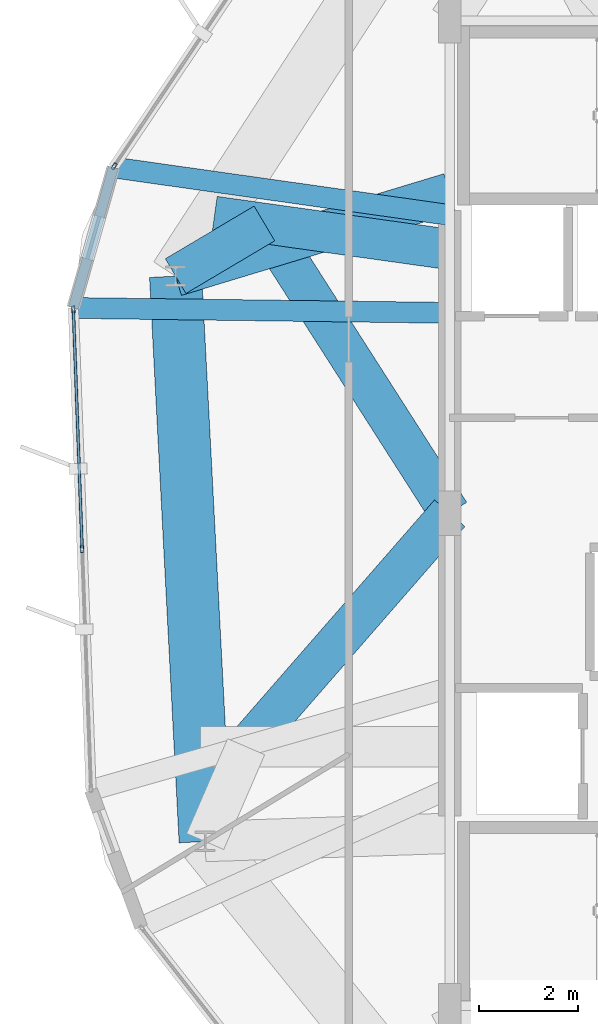
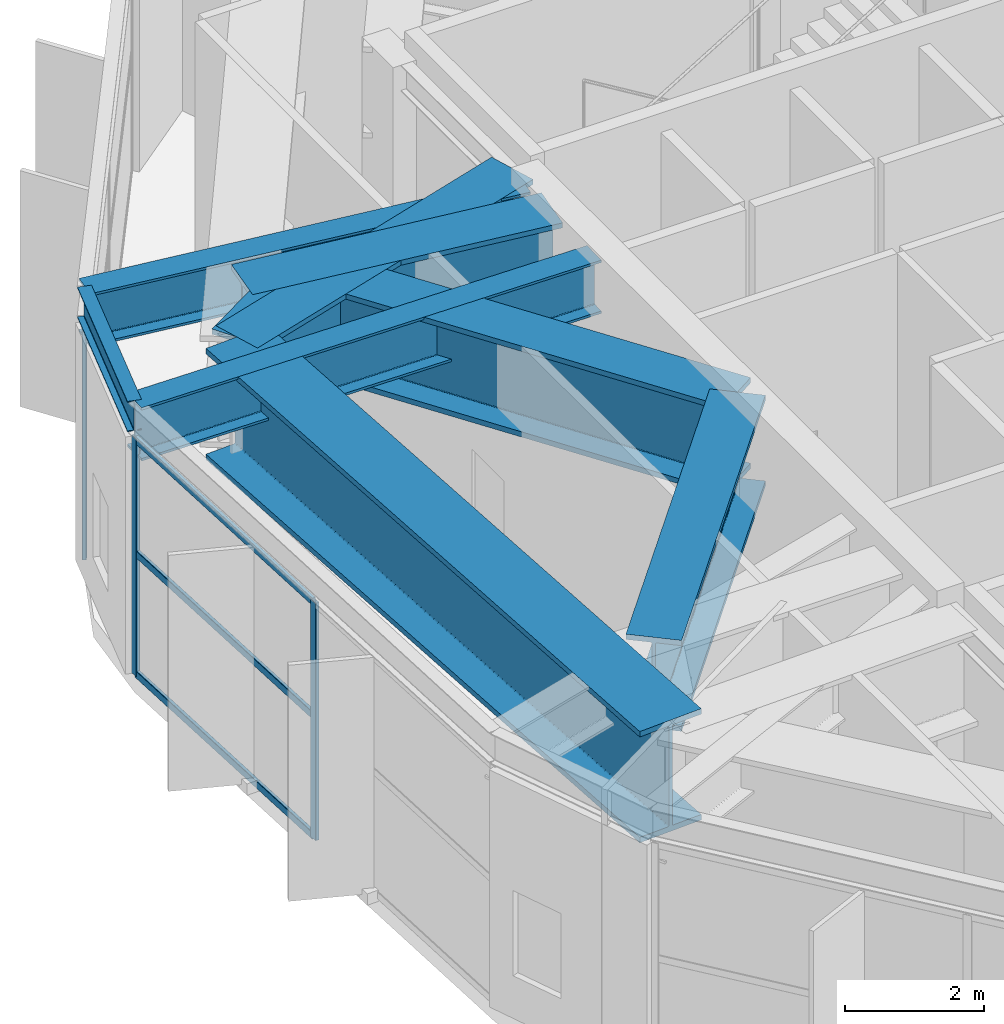
# One storey, part 10 of 30: 9 beams, 6 members, 2 elements without a shape of their own.
"""IFC4 building model written with IfcOpenShell, lengths in metres."""

from ifc_helpers import new_model, si_unit, direction, frame, origin, origin_2d, place, context, subcontext, project, spatial, hollow_rectangle, i_section, extrude, material, layer, layer_set, material_profile, profile_set, type_object, element, aggregate, save


model = new_model("IFC4")

# Units and contexts
model_context = context("Model", 3, precision=1e-05, world=origin(), true_north=direction((0.0, 1.0)))
body_context = subcontext(model_context, "Body", "Model", "MODEL_VIEW")
ifc_project = project(units=[si_unit("LENGTHUNIT", "METRE"), si_unit("AREAUNIT", "SQUARE_METRE"), si_unit("VOLUMEUNIT", "CUBIC_METRE"), si_unit("PLANEANGLEUNIT", "RADIAN"), si_unit("MASSUNIT", "GRAM", prefix="KILO")], contexts=[model_context])

# Site, building, storey
site_placement = place(None, origin())
site = spatial("IfcSite", under=ifc_project, at=site_placement, CompositionType="ELEMENT")
building_placement = place(site_placement, origin())
building = spatial("IfcBuilding", under=site, at=building_placement, Name="Soratama Intermodal Tower", CompositionType="ELEMENT")
storey_placement = place(building_placement, frame((0.0, 0.0, 237.39990234375)))
storey = spatial("IfcBuildingStorey", under=building, at=storey_placement, Name="L60", CompositionType="ELEMENT", Elevation=237.39990234375)

# Beams
ifc_material_1 = material(Name="Structural steel ASTM A992 Grade 50", Category="steel")
ifc_material_profile_1 = material_profile(ifc_material_1, i_section(OverallWidth=0.423095703125, OverallDepth=0.93896484375, WebThickness=0.02392578125, FlangeThickness=0.042724609375, FilletRadius=0.02392578125, at=origin_2d()), Name="W36X302")
ifc_profile_set_1 = profile_set([ifc_material_profile_1], Name="Structural steel ASTM A992 Grade 50")
beam_type_1 = type_object("IfcBeamType", Name="BM-POD-W36X302", PredefinedType="BEAM", material=ifc_profile_set_1)
beam_1_placement = place(storey_placement, frame((32.56005859375, 31.05908203125, 4.33056640625), z_axis=(-0.990133770458, 0.140125360295, 0.0), x_axis=(-0.140125360295, -0.990133770458, 0.0)))
element("IfcBeam", 1, at=beam_1_placement, inside=storey, type_object=beam_type_1, Name="BM-L60-TIE1-03", PredefinedType="BEAM", context=body_context, shape_type="SweptSolid", body=[
    extrude(i_section(OverallWidth=0.423095703125, OverallDepth=0.93896484375, WebThickness=0.02392578125, FlangeThickness=0.042724609375, FilletRadius=0.02392578125, at=origin_2d()), origin(), (0.0, 0.0, 1.0), 6.857666015625),
])
beam_2_placement = place(storey_placement, frame((32.56005859375, 29.068115234375, 4.33056640625), z_axis=(-0.999915446427, 0.013003845476, 0.0), x_axis=(-0.013003845476, -0.999915446427, 0.0)))
element("IfcBeam", 2, at=beam_2_placement, inside=storey, type_object=beam_type_1, Name="BM-L60-TIE0-04", PredefinedType="BEAM", context=body_context, shape_type="SweptSolid", body=[
    extrude(i_section(OverallWidth=0.423095703125, OverallDepth=0.93896484375, WebThickness=0.02392578125, FlangeThickness=0.042724609375, FilletRadius=0.02392578125, at=origin_2d()), origin(), (0.0, 0.0, 1.0), 7.603759765625),
])
ifc_material_2 = material(Name="Structural steel ASTM A992 Grade 50", Category="steel")
ifc_material_profile_2 = material_profile(ifc_material_2, i_section(OverallWidth=0.2099609375, OverallDepth=0.537109375, WebThickness=0.010986328125, FlangeThickness=0.017333984375, FilletRadius=0.012939453125, at=origin_2d()), Name="W21X68")
ifc_profile_set_2 = profile_set([ifc_material_profile_2], Name="Structural steel ASTM A992 Grade 50")
beam_type_2 = type_object("IfcBeamType", Name="BM-SPN-W21X68", PredefinedType="SPANDREL", material=ifc_profile_set_2)
beam_3_placement = place(storey_placement, frame((25.77001953125, 32.02001953125, 4.531494140625), z_axis=(-0.274047161234, -0.96171625411, 0.0), x_axis=(0.96171625411, -0.274047161234, 0.0)))
element("IfcBeam", 3, at=beam_3_placement, inside=storey, type_object=beam_type_2, Name="BS-L60-CRN03", PredefinedType="SPANDREL", context=body_context, shape_type="SweptSolid", body=[
    extrude(i_section(OverallWidth=0.2099609375, OverallDepth=0.537109375, WebThickness=0.010986328125, FlangeThickness=0.017333984375, FilletRadius=0.012939453125, at=origin_2d()), origin(), (0.0, 0.0, 1.0), 2.966552734375),
])
ifc_material_3 = material(Name="Structural steel ASTM A992 Grade 50", Category="steel")
ifc_material_profile_3 = material_profile(ifc_material_3, i_section(OverallWidth=0.820068359375, OverallDepth=1.699951171875, WebThickness=0.053955078125, FlangeThickness=0.087890625, FilletRadius=0.02392578125, at=origin_2d()), Name="PG1580X800")
ifc_profile_set_3 = profile_set([ifc_material_profile_3], Name="Structural steel ASTM A992 Grade 50")
beam_type_3 = type_object("IfcBeamType", Name="BM-ZSTEP-PG1580", PredefinedType="BEAM", material=ifc_profile_set_3)
beam_4_placement = place(storey_placement, frame((27.821044921875, 31.02587890625, 3.9501953125), z_axis=(0.990261701165, -0.139218401104, 0.0), x_axis=(0.139218401104, 0.990261701165, 0.0)))
element("IfcBeam", 4, at=beam_4_placement, inside=storey, type_object=beam_type_3, Name="BM-L60-ZCHORD-05", PredefinedType="BEAM", context=body_context, shape_type="SweptSolid", body=[
    extrude(i_section(OverallWidth=0.820068359375, OverallDepth=1.699951171875, WebThickness=0.053955078125, FlangeThickness=0.087890625, FilletRadius=0.02392578125, at=origin_2d()), origin(), (0.0, 0.0, 1.0), 4.826171875),
])
beam_5_placement = place(storey_placement, frame((32.60009765625, 31.5, 3.9501953125), z_axis=(-0.957056879321, -0.289900206526, 0.0), x_axis=(0.289900206526, -0.957056879321, 0.0)))
element("IfcBeam", 5, at=beam_5_placement, inside=storey, type_object=beam_type_3, Name="BM-L60-RAD-05", PredefinedType="BEAM", context=body_context, shape_type="SweptSolid", body=[
    extrude(i_section(OverallWidth=0.820068359375, OverallDepth=1.699951171875, WebThickness=0.053955078125, FlangeThickness=0.087890625, FilletRadius=0.02392578125, at=origin_2d()), origin(), (0.0, 0.0, 1.0), 5.81591796875),
])
ifc_material_4 = material(Name="Structural steel ASTM A992 Grade 50", Category="steel")
ifc_material_profile_4 = material_profile(ifc_material_4, i_section(OverallWidth=0.820068359375, OverallDepth=1.60205078125, WebThickness=0.055908203125, FlangeThickness=0.092041015625, FilletRadius=0.02392578125, at=origin_2d()), Name="PG1600X650")
ifc_profile_set_4 = profile_set([ifc_material_profile_4], Name="Structural steel ASTM A992 Grade 50")
beam_type_4 = type_object("IfcBeamType", Name="BM-ZSTEP-PG1600", PredefinedType="BEAM", material=ifc_profile_set_4)
beam_6_placement = place(storey_placement, frame((27.033935546875, 29.81396484375, 3.9990234375), z_axis=(0.860153389872, 0.510035435917, 0.0), x_axis=(-0.510035435917, 0.860153389872, 0.0)))
element("IfcBeam", 6, at=beam_6_placement, inside=storey, type_object=beam_type_4, Name="BM-L60-ZSTEP-A05", PredefinedType="BEAM", context=body_context, shape_type="SweptSolid", body=[
    extrude(i_section(OverallWidth=0.820068359375, OverallDepth=1.60205078125, WebThickness=0.055908203125, FlangeThickness=0.092041015625, FilletRadius=0.02392578125, at=origin_2d()), origin(), (0.0, 0.0, 1.0), 2.09619140625),
])
beam_7_placement = place(storey_placement, frame((28.8369140625, 30.883056640625, 3.9990234375), z_axis=(0.538853293654, -0.842399624833, 0.0), x_axis=(0.842399624833, 0.538853293654, 0.0)))
element("IfcBeam", 7, at=beam_7_placement, inside=storey, type_object=beam_type_4, Name="BM-L60-ZSTEP-B05", PredefinedType="BEAM", context=body_context, shape_type="SweptSolid", body=[
    extrude(i_section(OverallWidth=0.820068359375, OverallDepth=1.60205078125, WebThickness=0.055908203125, FlangeThickness=0.092041015625, FilletRadius=0.02392578125, at=origin_2d()), origin(), (0.0, 0.0, 1.0), 6.983642578125),
])
beam_8_placement = place(storey_placement, frame((28.466064453125, 20.259033203125, 3.9990234375), z_axis=(0.657214924387, 0.753703219552, 0.0), x_axis=(-0.753703219552, 0.657214924387, 0.0)))
element("IfcBeam", 8, at=beam_8_placement, inside=storey, type_object=beam_type_4, Name="BM-L60-ZSTEP-B06", PredefinedType="BEAM", context=body_context, shape_type="SweptSolid", body=[
    extrude(i_section(OverallWidth=0.820068359375, OverallDepth=1.60205078125, WebThickness=0.055908203125, FlangeThickness=0.092041015625, FilletRadius=0.02392578125, at=origin_2d()), origin(), (0.0, 0.0, 1.0), 6.290283203125),
])
ifc_material_5 = material(Name="Structural steel ASTM A992 Grade 50", Category="steel")
ifc_material_profile_5 = material_profile(ifc_material_5, i_section(OverallWidth=1.06005859375, OverallDepth=1.9599609375, WebThickness=0.05810546875, FlangeThickness=0.095947265625, FilletRadius=0.02392578125, at=origin_2d()), Name="PG2400X900")
ifc_profile_set_5 = profile_set([ifc_material_profile_5], Name="Structural steel ASTM A992 Grade 50")
beam_type_5 = type_object("IfcBeamType", Name="BM-ZSTEP-PG2400", PredefinedType="BEAM", material=ifc_profile_set_5)
beam_9_placement = place(storey_placement, frame((27.033935546875, 29.81396484375, 3.820068359375), z_axis=(0.052286849724, -0.998632107108, 0.0), x_axis=(0.998632107108, 0.052286849724, 0.0)))
element("IfcBeam", 9, at=beam_9_placement, inside=storey, type_object=beam_type_5, Name="BM-L60-RING-05", PredefinedType="BEAM", context=body_context, shape_type="SweptSolid", body=[
    extrude(i_section(OverallWidth=1.06005859375, OverallDepth=1.9599609375, WebThickness=0.05810546875, FlangeThickness=0.095947265625, FilletRadius=0.02392578125, at=origin_2d()), origin(), (0.0, 0.0, 1.0), 11.49560546875),
])

# Curtain wall, member
ifc_material_6 = material(Name="Double-glazed aluminium curtain wall", Category="aluminium")
ifc_layer = layer(ifc_material_6, 0.159912109375)
ifc_layer_set = layer_set([ifc_layer], Name="Double-glazed aluminium curtain wall")
curtain_wall_type = type_object("IfcCurtainWallType", Name="CW-SYS-5", PredefinedType="NOTDEFINED", material=ifc_layer_set)
curtain_wall_1_placement = place(storey_placement, origin())
curtain_wall_1 = element("IfcCurtainWall", 10, at=curtain_wall_1_placement, inside=storey, type_object=curtain_wall_type, Name="L60 Faceted Curtain Wall F03", PredefinedType="NOTDEFINED")
ifc_material_7 = material(Name="Anodised aluminium AA 6063-T6", Category="aluminium")
ifc_material_profile_6 = material_profile(ifc_material_7, hollow_rectangle(XDim=0.06494140625, YDim=0.139892578125, WallThickness=0.0048828125, InnerFilletRadius=0.0048828125, OuterFilletRadius=0.010009765625, at=origin_2d()), Name="CWM140X65X5")
ifc_profile_set_6 = profile_set([ifc_material_profile_6], Name="Anodised aluminium AA 6063-T6")
member_type_1 = type_object("IfcMemberType", Name="MT-CWM-5", PredefinedType="MULLION", material=ifc_profile_set_6)
member_1_placement = place(storey_placement, frame((25.7861328125, 32.045166015625, 0.0), z_axis=(0.0, 0.0, 1.0), x_axis=(0.830012833984, -0.557744292147, 0.0)))
member_1 = element("IfcMember", 11, at=member_1_placement, type_object=member_type_1, Name="CW-5 mullion 3", PredefinedType="MULLION", context=body_context, shape_type="SweptSolid", body=[
    extrude(hollow_rectangle(XDim=0.06494140625, YDim=0.139892578125, WallThickness=0.0048828125, InnerFilletRadius=0.0048828125, OuterFilletRadius=0.010009765625, at=origin_2d()), origin(), (0.0, 0.0, 1.0), 4.17919921875),
])
aggregate(curtain_wall_1, [member_1])

# Curtain wall, members
curtain_wall_2_placement = place(storey_placement, origin())
curtain_wall_2 = element("IfcCurtainWall", 12, at=curtain_wall_2_placement, inside=storey, type_object=curtain_wall_type, Name="L60 Faceted Curtain Wall F04", PredefinedType="NOTDEFINED")
member_2_placement = place(storey_placement, frame((24.9580078125, 29.13720703125, 0.0), z_axis=(0.0, 0.0, 1.0), x_axis=(0.999328481005, 0.036641329851, 0.0)))
member_2 = element("IfcMember", 13, at=member_2_placement, type_object=member_type_1, Name="CW-5 mullion 1", PredefinedType="MULLION", context=body_context, shape_type="SweptSolid", body=[
    extrude(hollow_rectangle(XDim=0.06494140625, YDim=0.139892578125, WallThickness=0.0048828125, InnerFilletRadius=0.0048828125, OuterFilletRadius=0.010009765625, at=origin_2d()), origin(), (0.0, 0.0, 1.0), 4.17919921875),
])
member_3_placement = place(storey_placement, frame((25.13623046875, 24.271728515625, 0.0), z_axis=(0.0, 0.0, 1.0), x_axis=(0.999328481005, 0.036641329851, 0.0)))
member_3 = element("IfcMember", 14, at=member_3_placement, type_object=member_type_1, Name="CW-5 mullion 2", PredefinedType="MULLION", context=body_context, shape_type="SweptSolid", body=[
    extrude(hollow_rectangle(XDim=0.06494140625, YDim=0.139892578125, WallThickness=0.0048828125, InnerFilletRadius=0.0048828125, OuterFilletRadius=0.010009765625, at=origin_2d()), origin(), (0.0, 0.0, 1.0), 4.17919921875),
])
ifc_material_8 = material(Name="Anodised aluminium AA 6063-T6", Category="aluminium")
ifc_material_profile_7 = material_profile(ifc_material_8, hollow_rectangle(XDim=0.06005859375, YDim=0.1298828125, WallThickness=0.0048828125, InnerFilletRadius=0.0048828125, OuterFilletRadius=0.010009765625, at=origin_2d()), Name="CWT130X60X5")
ifc_profile_set_7 = profile_set([ifc_material_profile_7], Name="Anodised aluminium AA 6063-T6")
member_type_2 = type_object("IfcMemberType", Name="TT-CWT-2", PredefinedType="USERDEFINED", material=ifc_profile_set_7)
member_4_placement = place(storey_placement, frame((24.958984375, 29.107177734375, 0.030029296875), z_axis=(0.036654887437, -0.999327983811, 0.0), x_axis=(0.999327983811, 0.036654887437, 0.0)))
member_4 = element("IfcMember", 15, at=member_4_placement, type_object=member_type_2, Name="CW-5 transom 1.1", ObjectType="TRANSOM", PredefinedType="USERDEFINED", context=body_context, shape_type="SweptSolid", body=[
    extrude(hollow_rectangle(XDim=0.06005859375, YDim=0.1298828125, WallThickness=0.0048828125, InnerFilletRadius=0.0048828125, OuterFilletRadius=0.010009765625, at=origin_2d()), origin(), (0.0, 0.0, 1.0), 4.808837890625),
])
member_5_placement = place(storey_placement, frame((24.958984375, 29.107177734375, 2.150146484375), z_axis=(0.036654887437, -0.999327983811, 0.0), x_axis=(0.999327983811, 0.036654887437, 0.0)))
member_5 = element("IfcMember", 16, at=member_5_placement, type_object=member_type_2, Name="CW-5 transom 1.2", ObjectType="TRANSOM", PredefinedType="USERDEFINED", context=body_context, shape_type="SweptSolid", body=[
    extrude(hollow_rectangle(XDim=0.06005859375, YDim=0.1298828125, WallThickness=0.0048828125, InnerFilletRadius=0.0048828125, OuterFilletRadius=0.010009765625, at=origin_2d()), origin(), (0.0, 0.0, 1.0), 4.808837890625),
])
member_6_placement = place(storey_placement, frame((24.958984375, 29.107177734375, 4.149169921875), z_axis=(0.036654887437, -0.999327983811, 0.0), x_axis=(0.999327983811, 0.036654887437, 0.0)))
member_6 = element("IfcMember", 17, at=member_6_placement, type_object=member_type_2, Name="CW-5 transom 1.3", ObjectType="TRANSOM", PredefinedType="USERDEFINED", context=body_context, shape_type="SweptSolid", body=[
    extrude(hollow_rectangle(XDim=0.06005859375, YDim=0.1298828125, WallThickness=0.0048828125, InnerFilletRadius=0.0048828125, OuterFilletRadius=0.010009765625, at=origin_2d()), origin(), (0.0, 0.0, 1.0), 4.808837890625),
])
aggregate(curtain_wall_2, [member_2, member_3, member_4, member_5, member_6])

save(model, "model.ifc")
